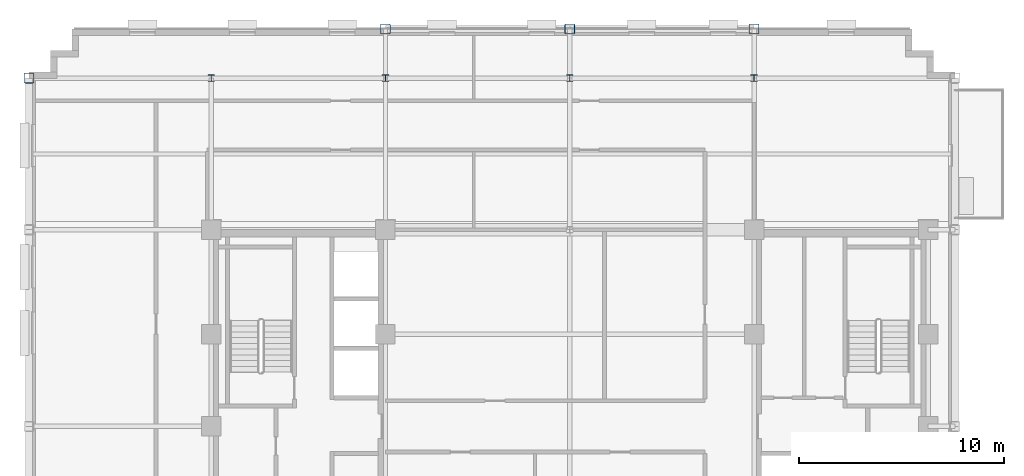
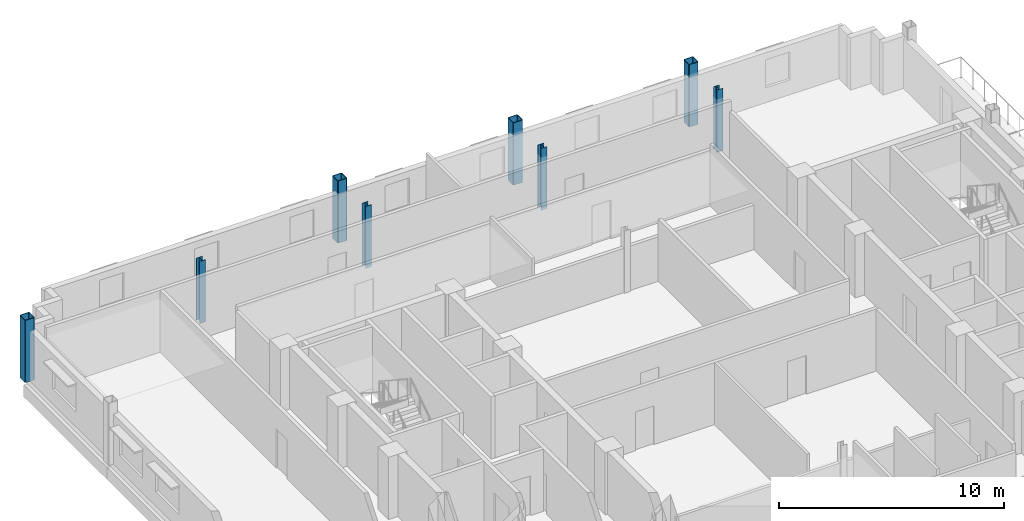
# One storey, part 3 of 13: 8 columns.
"""IFC4 building model written with IfcOpenShell, lengths in metres."""

import ifcopenshell
import ifcopenshell.guid

model = None  # the IFC model being written
_history = None  # IfcOwnerHistory: only IFC2X3 demands one
_inside = {}  # id of a spatial element -> (the spatial element, [elements in it])
_under = {}  # id of a project, library or spatial element -> (it, [spatial elements below it])
_declared = {}  # id of a project -> (the project, [libraries it declares])
_typed = {}  # id of a type object -> (the type object, [elements of that type])
_made_of = {}  # id of a material, layer set ... -> (it, [elements and type objects made of it])


def new_model(schema):
    """Start an empty IFC model of exactly this schema.

    Asked for "IFC4X3", IfcOpenShell would pick the latest addendum, in which some entities
    have other attributes; the version numbers below select the first issue.
    IFC2X3 requires an IfcOwnerHistory on every rooted entity: one is made here for all.
    """
    global model, _history
    if schema == "IFC4X3":
        model = ifcopenshell.file(schema_version=(4, 3, 0, 0))
    else:
        model = ifcopenshell.file(schema=schema)
    _inside.clear()
    _under.clear()
    _declared.clear()
    _typed.clear()
    _made_of.clear()
    _history = None
    if model.schema == "IFC2X3":
        org = make("IfcOrganization", Name="unknown")
        user = make(
            "IfcPersonAndOrganization",
            ThePerson=make("IfcPerson", FamilyName="unknown"),
            TheOrganization=org,
        )
        app = make(
            "IfcApplication",
            ApplicationDeveloper=org,
            Version="unknown",
            ApplicationFullName="unknown",
            ApplicationIdentifier="unknown",
        )
        _history = make(
            "IfcOwnerHistory",
            OwningUser=user,
            OwningApplication=app,
            ChangeAction="ADDED",
            CreationDate=0,
        )
    return model


def make(cls, **values):
    """One entity of the class cls with the attributes given. An attribute that is None is left unset."""
    return model.create_entity(
        cls, **{name: value for name, value in values.items() if value is not None}
    )


def rooted(cls, **values):
    """An entity with a GlobalId (a new one), such as an element, a storey or a relation."""
    return make(cls, GlobalId=ifcopenshell.guid.new(), OwnerHistory=_history, **values)


def si_unit(unit_type, name, prefix=None):
    """IfcSIUnit, for example si_unit("LENGTHUNIT", "METRE", prefix="MILLI")."""
    return make("IfcSIUnit", UnitType=unit_type, Prefix=prefix, Name=name)


def assignment(units):
    """IfcUnitAssignment: the units of a project."""
    return None if units is None else make("IfcUnitAssignment", Units=units)


def point(xyz):
    """IfcCartesianPoint."""
    return None if xyz is None else make("IfcCartesianPoint", Coordinates=xyz)


def direction(xyz):
    """IfcDirection."""
    return None if xyz is None else make("IfcDirection", DirectionRatios=xyz)


def frame(location, z_axis=None, x_axis=None):
    """IfcAxis2Placement3D, a coordinate frame: its origin and axes. An axis left out is left unset."""
    return make(
        "IfcAxis2Placement3D",
        Location=point(location),
        Axis=direction(z_axis),
        RefDirection=direction(x_axis),
    )


def frame_2d(location, x_axis=None):
    """IfcAxis2Placement2D, a coordinate frame in the plane: its origin and x axis."""
    return make(
        "IfcAxis2Placement2D", Location=point(location), RefDirection=direction(x_axis)
    )


def origin():
    """The frame at (0, 0, 0) with its axes left unset."""
    return frame((0.0, 0.0, 0.0))


def origin_2d():
    """The frame at (0, 0) in the plane with its x axis left unset."""
    return frame_2d((0.0, 0.0))


def place(relative_to, where):
    """IfcLocalPlacement: puts the frame where relative to a parent placement (None: the world)."""
    return make(
        "IfcLocalPlacement", PlacementRelTo=relative_to, RelativePlacement=where
    )


def context(
    kind, dimensions, precision=None, world=None, true_north=None, identifier=None
):
    """IfcGeometricRepresentationContext, for example the 3D "Model" context."""
    return make(
        "IfcGeometricRepresentationContext",
        ContextIdentifier=identifier,
        ContextType=kind,
        CoordinateSpaceDimension=dimensions,
        Precision=precision,
        WorldCoordinateSystem=world,
        TrueNorth=true_north,
    )


def subcontext(parent, identifier, kind, view, scale=None):
    """IfcGeometricRepresentationSubContext, for example "Body" below "Model"."""
    return make(
        "IfcGeometricRepresentationSubContext",
        ContextIdentifier=identifier,
        ContextType=kind,
        ParentContext=parent,
        TargetScale=scale,
        TargetView=view,
    )


def project(units=None, contexts=None):
    """IfcProject with its units and contexts."""
    return rooted(
        "IfcProject",
        Name="project",
        RepresentationContexts=contexts,
        UnitsInContext=assignment(units),
    )


def spatial(cls, under=None, at=None, **own):
    """A site, building, storey or space (cls), placed at a placement, below another one or the project."""
    s = rooted(cls, ObjectPlacement=at, **own)
    if under is not None:
        _under.setdefault(under.id(), (under, []))[1].append(s)
    return s


def profile(cls, at=None, kind="AREA", **sizes):
    """A parametric profile (cls). Its sizes go by their IFC names, for example OverallWidth=200.0."""
    return make(cls, ProfileType=kind, Position=at, **sizes)


def hollow_rectangle(**sizes):
    """IfcRectangleHollowProfileDef."""
    return profile("IfcRectangleHollowProfileDef", **sizes)


def i_section(**sizes):
    """IfcIShapeProfileDef."""
    return profile("IfcIShapeProfileDef", **sizes)


def extrude(swept, where, along, depth):
    """IfcExtrudedAreaSolid: the profile swept, set in the frame where, extruded along a direction by depth."""
    return make(
        "IfcExtrudedAreaSolid",
        SweptArea=swept,
        Position=where,
        ExtrudedDirection=direction(along),
        Depth=depth,
    )


def shape(context_of_items, identifier, shape_type, items):
    """IfcShapeRepresentation: the items that make up one representation, for example the "Body"."""
    return make(
        "IfcShapeRepresentation",
        ContextOfItems=context_of_items,
        RepresentationIdentifier=identifier,
        RepresentationType=shape_type,
        Items=items,
    )


def material(Name=None, Category=None):
    """IfcMaterial."""
    return make("IfcMaterial", Name=Name, Category=Category)


def material_profile(
    of_material, cross_section, Name=None, Category=None, Priority=None
):
    """IfcMaterialProfile: a cross section and its material."""
    return make(
        "IfcMaterialProfile",
        Name=Name,
        Material=of_material,
        Profile=cross_section,
        Priority=Priority,
        Category=Category,
    )


def profile_set(profiles, Name=None, composite=None):
    """IfcMaterialProfileSet."""
    return make(
        "IfcMaterialProfileSet",
        Name=Name,
        MaterialProfiles=profiles,
        CompositeProfile=composite,
    )


def made_of(thing, what):
    """Note that an element or type object is made of a material, layer set ...; save() writes the relation."""
    if what is not None:
        _made_of.setdefault(what.id(), (what, []))[1].append(thing)
    return thing


def type_object(cls, material=None, **own):
    """A type object (cls), such as IfcWallType, which elements share."""
    return made_of(rooted(cls, **own), material)


def element(
    cls,
    number,
    at=None,
    inside=None,
    cuts=None,
    type_object=None,
    material=None,
    context=None,
    identifier="Body",
    shape_type=None,
    held_by="IfcProductDefinitionShape",
    body=None,
    shapes=None,
    **own,
):
    """One element of the class cls, such as IfcWall. Its Tag is "e" and its number.

    at: its placement. inside: the storey or other place that contains it. cuts: it is an
    opening in that element (IfcRelVoidsElement). A single representation is given by context,
    identifier, shape_type and body (its items); several are given by shapes. held_by: the class
    of the entity that holds the representations. save() writes the other relations.
    """
    e = rooted(cls, Tag="e%d" % number, ObjectPlacement=at, **own)
    if body is not None:
        shapes = [shape(context, identifier, shape_type, body)]
    if shapes is not None:
        e.Representation = make(held_by, Representations=shapes)
    if inside is not None:
        _inside.setdefault(inside.id(), (inside, []))[1].append(e)
    if cuts is not None:
        rooted(
            "IfcRelVoidsElement", RelatingBuildingElement=cuts, RelatedOpeningElement=e
        )
    if type_object is not None:
        _typed.setdefault(type_object.id(), (type_object, []))[1].append(e)
    return made_of(e, material)


def aggregate(whole, parts):
    """IfcRelAggregates: a whole, such as a stair, and the parts it consists of."""
    return rooted("IfcRelAggregates", RelatingObject=whole, RelatedObjects=parts)


def save(model, path):
    """Write the relations noted so far, then the file.

    IfcRelAggregates (storeys below a building ...), IfcRelContainedInSpatialStructure (elements
    in a storey), IfcRelDefinesByType, IfcRelAssociatesMaterial and IfcRelDeclares: one each for
    every whole, place, type object, material and project.
    """
    for whole, parts in _under.values():
        aggregate(whole, parts)
    for where, things in _inside.values():
        rooted(
            "IfcRelContainedInSpatialStructure",
            RelatedElements=things,
            RelatingStructure=where,
        )
    for kind, things in _typed.values():
        rooted("IfcRelDefinesByType", RelatedObjects=things, RelatingType=kind)
    for what, things in _made_of.values():
        rooted("IfcRelAssociatesMaterial", RelatedObjects=things, RelatingMaterial=what)
    for by, libraries in _declared.values():
        rooted("IfcRelDeclares", RelatingContext=by, RelatedDefinitions=libraries)
    model.write(path)


model = new_model("IFC4")

# Units and contexts
model_context = context("Model", 3, precision=1e-05, world=origin(), true_north=direction((0.0, 1.0)))
body_context = subcontext(model_context, "Body", "Model", "MODEL_VIEW")
ifc_project = project(units=[si_unit("LENGTHUNIT", "METRE"), si_unit("AREAUNIT", "SQUARE_METRE"), si_unit("VOLUMEUNIT", "CUBIC_METRE"), si_unit("PLANEANGLEUNIT", "RADIAN"), si_unit("MASSUNIT", "GRAM", prefix="KILO")], contexts=[model_context])

# Site, building, storey
site_placement = place(None, origin())
site = spatial("IfcSite", under=ifc_project, at=site_placement, CompositionType="ELEMENT")
building_placement = place(site_placement, origin())
building = spatial("IfcBuilding", under=site, at=building_placement, Name="Nuvemarco Arch Tower", CompositionType="ELEMENT")
storey_placement = place(building_placement, frame((0.0, 0.0, 220.10009765625)))
storey = spatial("IfcBuildingStorey", under=building, at=storey_placement, Name="L58", CompositionType="ELEMENT", Elevation=220.10009765625)

# Columns
ifc_material = material(Name="Steel S355", Category="steel")
ifc_material_profile_1 = material_profile(ifc_material, hollow_rectangle(XDim=0.5, YDim=0.5, WallThickness=0.031982421875, InnerFilletRadius=0.031982421875, OuterFilletRadius=0.06396484375, at=origin_2d()), Name="SHS500x500x32")
ifc_profile_set_1 = profile_set([ifc_material_profile_1], Name="Steel S355")
column_type_1 = type_object("IfcColumnType", Name="COL-EXO-500", PredefinedType="COLUMN", material=ifc_profile_set_1)
for number, where, z_axis, x_axis, name in (
    (1, (-26.39990234375, 17.0, 0.0), (0.0, 0.0, 1.0), (1.0, 0.0, 0.0), "L58 column CX_-26.4_+17.0"),
    (2, (-9.0, 19.39990234375, 0.0), (0.0, 0.0, 1.0), (1.0, 0.0, 0.0), "L58 column CY_-9.0_+19.4"),
    (3, (0.0, 19.39990234375, 0.0), (0.0, 0.0, 1.0), (1.0, 0.0, 0.0), "L58 column CY_+0.0_+19.4"),
    (4, (9.0, 19.39990234375, 0.0), (0.0, 0.0, 1.0), (1.0, 0.0, 0.0), "L58 column CY_+9.0_+19.4"),
):
    element("IfcColumn", number, at=place(storey_placement, frame(where, z_axis=z_axis, x_axis=x_axis)), inside=storey, type_object=column_type_1, Name=name, PredefinedType="COLUMN", context=body_context, shape_type="SweptSolid", body=[
        extrude(hollow_rectangle(XDim=0.5, YDim=0.5, WallThickness=0.031982421875, InnerFilletRadius=0.031982421875, OuterFilletRadius=0.06396484375, at=origin_2d()), origin(), (0.0, 0.0, 1.0), 3.369873046875),
    ])
ifc_material_profile_2 = material_profile(ifc_material, i_section(OverallWidth=0.31005859375, OverallDepth=0.31005859375, WebThickness=0.015380859375, FlangeThickness=0.015380859375, FilletRadius=0.014892578125, at=origin_2d()), Name="HP310x110")
ifc_profile_set_2 = profile_set([ifc_material_profile_2], Name="Steel S355")
column_type_2 = type_object("IfcColumnType", Name="COL-STL-HP310", PredefinedType="COLUMN", material=ifc_profile_set_2)
for number, where, z_axis, x_axis, name in (
    (5, (0.0, 17.0, 0.0), (0.0, 0.0, 1.0), (1.0, 0.0, 0.0), "L58 column CI_+0.0_+17.0"),
    (6, (-17.5, 17.0, 0.0), (0.0, 0.0, 1.0), (1.0, 0.0, 0.0), "L58 column CI_-17.5_+17.0"),
    (7, (-9.0, 17.0, 0.0), (0.0, 0.0, 1.0), (1.0, 0.0, 0.0), "L58 column CI_-9.0_+17.0"),
    (8, (9.0, 17.0, 0.0), (0.0, 0.0, 1.0), (1.0, 0.0, 0.0), "L58 column CI_+9.0_+17.0"),
):
    element("IfcColumn", number, at=place(storey_placement, frame(where, z_axis=z_axis, x_axis=x_axis)), inside=storey, type_object=column_type_2, Name=name, PredefinedType="COLUMN", context=body_context, shape_type="SweptSolid", body=[
        extrude(i_section(OverallWidth=0.31005859375, OverallDepth=0.31005859375, WebThickness=0.015380859375, FlangeThickness=0.015380859375, FilletRadius=0.014892578125, at=origin_2d()), origin(), (0.0, 0.0, 1.0), 3.369873046875),
    ])

save(model, "model.ifc")
